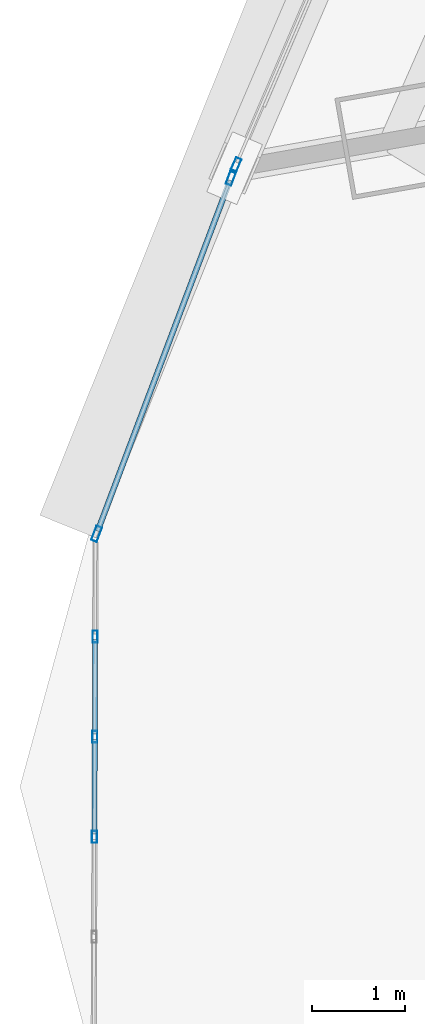
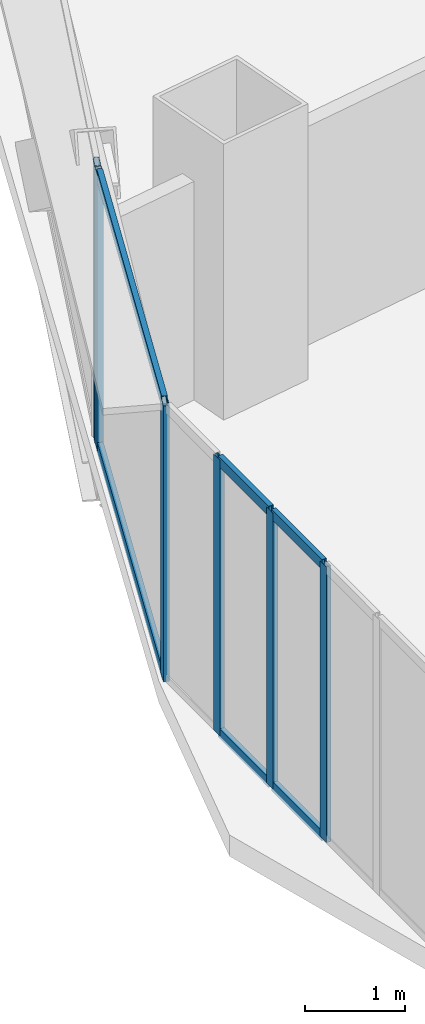
# One storey, part 4 of 42: 12 members, 3 elements without a shape of their own.
"""IFC4 building model written with IfcOpenShell, lengths in metres."""

from ifc_helpers import new_model, si_unit, direction, frame, origin, origin_2d, place, context, subcontext, project, spatial, hollow_rectangle, extrude, source, transform, mapped, material, layer, layer_set, material_profile, profile_set, type_object, element, aggregate, save


model = new_model("IFC4")

# Units and contexts
model_context = context("Model", 3, precision=1e-05, world=origin(), true_north=direction((0.0, 1.0)))
body_context = subcontext(model_context, "Body", "Model", "MODEL_VIEW")
ifc_project = project(units=[si_unit("LENGTHUNIT", "METRE"), si_unit("AREAUNIT", "SQUARE_METRE"), si_unit("VOLUMEUNIT", "CUBIC_METRE"), si_unit("PLANEANGLEUNIT", "RADIAN"), si_unit("MASSUNIT", "GRAM", prefix="KILO"), si_unit("THERMODYNAMICTEMPERATUREUNIT", "KELVIN"), si_unit("POWERUNIT", "WATT")], contexts=[model_context])

# Site, building, storey
site_placement = place(None, origin())
site = spatial("IfcSite", under=ifc_project, at=site_placement, CompositionType="ELEMENT")
building_placement = place(site_placement, origin())
building = spatial("IfcBuilding", under=site, at=building_placement, Name="Yunzhuo Pagoda Commons", CompositionType="ELEMENT")
storey_placement = place(building_placement, frame((0.0, 0.0, 44.919921875)))
storey = spatial("IfcBuildingStorey", under=building, at=storey_placement, Name="L11", CompositionType="ELEMENT", Elevation=44.919921875)

# Curtain wall, member
ifc_material = material(Name="Anodized aluminium 6063-T6", Category="aluminium")
ifc_layer_1 = layer(ifc_material, 0.1650390625)
ifc_layer_set_1 = layer_set([ifc_layer_1], Name="Anodized aluminium 6063-T6")
curtain_wall_type_1 = type_object("IfcCurtainWallType", Name="CW-LOW Low-Zone Ribbon Curtain Wall", PredefinedType="NOTDEFINED", material=ifc_layer_set_1)
curtain_wall_1_placement = place(storey_placement, origin())
curtain_wall_1 = element("IfcCurtainWall", 1, at=curtain_wall_1_placement, inside=storey, type_object=curtain_wall_type_1, Name="L11 curtain wall CW-L11-F3B4", PredefinedType="NOTDEFINED")
ifc_material_profile_1 = material_profile(ifc_material, hollow_rectangle(XDim=0.06494140625, YDim=0.1650390625, WallThickness=0.00390625, at=origin_2d()), Name="Anodized aluminium 6063-T6")
ifc_profile_set_1 = profile_set([ifc_material_profile_1], Name="Anodized aluminium 6063-T6")
member_type_1 = type_object("IfcMemberType", Name="CW-LOW-M Mullion RHS 165x65x4", PredefinedType="MULLION", material=ifc_profile_set_1)
shared_shape_1 = source(origin(), body_context, "Body", "SweptSolid", [
    extrude(hollow_rectangle(XDim=0.06494140625, YDim=0.1650390625, WallThickness=0.00390625, at=origin_2d()), origin(), (0.0, 0.0, 1.0), 3.3701171875),
])
member_1_placement = place(storey_placement, frame((6.25341796875, 26.366455078125, 0.0), z_axis=(0.0, 0.0, 1.0), x_axis=(0.918865619656, -0.394570618538, 0.0)))
member_1 = element("IfcMember", 2, at=member_1_placement, type_object=member_type_1, Name="CW mullion 2", PredefinedType="MULLION", context=body_context, shape_type="MappedRepresentation", body=[
    mapped(shared_shape_1, transform((0.0, 0.0, 0.0), scale=1.0)),
])
aggregate(curtain_wall_1, [member_1])

# Curtain wall, members
curtain_wall_2_placement = place(storey_placement, origin())
curtain_wall_2 = element("IfcCurtainWall", 3, at=curtain_wall_2_placement, inside=storey, type_object=curtain_wall_type_1, Name="L11 curtain wall CW-L11-F3B5", PredefinedType="NOTDEFINED")
member_2_placement = place(storey_placement, frame((6.20263671875, 26.236083984375, 0.0), z_axis=(0.0, 0.0, 1.0), x_axis=(0.935566420146, -0.353150780113, 0.0)))
member_2 = element("IfcMember", 4, at=member_2_placement, type_object=member_type_1, Name="CW mullion 1", PredefinedType="MULLION", context=body_context, shape_type="MappedRepresentation", body=[
    mapped(shared_shape_1, transform((0.0, 0.0, 0.0), scale=1.0)),
])
member_3_placement = place(storey_placement, frame((4.760009765625, 22.41455078125, 0.0), z_axis=(0.0, 0.0, 1.0), x_axis=(0.935566420146, -0.353150780113, 0.0)))
member_3 = element("IfcMember", 5, at=member_3_placement, type_object=member_type_1, Name="CW mullion 2", PredefinedType="MULLION", context=body_context, shape_type="MappedRepresentation", body=[
    mapped(shared_shape_1, transform((0.0, 0.0, 0.0), scale=1.0)),
])
ifc_material_profile_2 = material_profile(ifc_material, hollow_rectangle(XDim=0.06005859375, YDim=0.139892578125, WallThickness=0.00341796875, at=origin_2d()), Name="Anodized aluminium 6063-T6")
ifc_profile_set_2 = profile_set([ifc_material_profile_2], Name="Anodized aluminium 6063-T6")
member_type_2 = type_object("IfcMemberType", Name="CW-LOW-T Transom RHS 140x60x3.5", PredefinedType="USERDEFINED", material=ifc_profile_set_2)
shared_shape_2 = source(origin(), body_context, "Body", "SweptSolid", [
    extrude(hollow_rectangle(XDim=0.06005859375, YDim=0.139892578125, WallThickness=0.00341796875, at=origin_2d()), origin(), (0.0, 0.0, 1.0), 4.019775390625),
])
member_4_placement = place(storey_placement, frame((6.191162109375, 26.20556640625, 0.030029296875), z_axis=(-0.353172606042, -0.935558181163, 0.0), x_axis=(0.935558181163, -0.353172606042, 0.0)))
member_4 = element("IfcMember", 6, at=member_4_placement, type_object=member_type_2, Name="CW transom 1.1", ObjectType="TRANSOM", PredefinedType="USERDEFINED", context=body_context, shape_type="MappedRepresentation", body=[
    mapped(shared_shape_2, transform((0.0, 0.0, 0.0), scale=1.0)),
])
member_5_placement = place(storey_placement, frame((6.191162109375, 26.20556640625, 3.340087890625), z_axis=(-0.353172606042, -0.935558181163, 0.0), x_axis=(0.935558181163, -0.353172606042, 0.0)))
member_5 = element("IfcMember", 7, at=member_5_placement, type_object=member_type_2, Name="CW transom 1.2", ObjectType="TRANSOM", PredefinedType="USERDEFINED", context=body_context, shape_type="MappedRepresentation", body=[
    mapped(shared_shape_2, transform((0.0, 0.0, 0.0), scale=1.0)),
])
aggregate(curtain_wall_2, [member_2, member_3, member_4, member_5])

ifc_layer_2 = layer(ifc_material, 0.1298828125)
ifc_layer_set_2 = layer_set([ifc_layer_2], Name="Anodized aluminium 6063-T6")
curtain_wall_type_2 = type_object("IfcCurtainWallType", Name="CW-VTX Rounded Corner Curtain Wall", PredefinedType="NOTDEFINED", material=ifc_layer_set_2)
curtain_wall_3_placement = place(storey_placement, origin())
curtain_wall_3 = element("IfcCurtainWall", 8, at=curtain_wall_3_placement, inside=storey, type_object=curtain_wall_type_2, Name="L11 curtain wall CW-L11-VTX1S1", PredefinedType="NOTDEFINED")
ifc_material_profile_3 = material_profile(ifc_material, hollow_rectangle(XDim=0.054931640625, YDim=0.1201171875, WallThickness=0.00341796875, at=origin_2d()), Name="Anodized aluminium 6063-T6")
ifc_profile_set_3 = profile_set([ifc_material_profile_3], Name="Anodized aluminium 6063-T6")
member_type_3 = type_object("IfcMemberType", Name="CW-VTX-T Transom RHS 120x55x3.5", PredefinedType="USERDEFINED", material=ifc_profile_set_3)
shared_shape_3 = source(origin(), body_context, "Body", "SweptSolid", [
    extrude(hollow_rectangle(XDim=0.054931640625, YDim=0.1201171875, WallThickness=0.00341796875, at=origin_2d()), origin(), (0.0, 0.0, 1.0), 1.017822265625),
])
member_6_placement = place(storey_placement, frame((4.74462890625, 21.28369140625, 0.027587890625), z_axis=(-0.00359796184, -0.999993527314, 0.0), x_axis=(0.999993527314, -0.00359796184, 0.0)))
member_6 = element("IfcMember", 9, at=member_6_placement, type_object=member_type_3, Name="CW transom 2.1", ObjectType="TRANSOM", PredefinedType="USERDEFINED", context=body_context, shape_type="MappedRepresentation", body=[
    mapped(shared_shape_3, transform((0.0, 0.0, 0.0), scale=1.0)),
])
member_7_placement = place(storey_placement, frame((4.74462890625, 21.28369140625, 3.342529296875), z_axis=(-0.00359796184, -0.999993527314, 0.0), x_axis=(0.999993527314, -0.00359796184, 0.0)))
member_7 = element("IfcMember", 10, at=member_7_placement, type_object=member_type_3, Name="CW transom 2.2", ObjectType="TRANSOM", PredefinedType="USERDEFINED", context=body_context, shape_type="MappedRepresentation", body=[
    mapped(shared_shape_3, transform((0.0, 0.0, 0.0), scale=1.0)),
])
member_8_placement = place(storey_placement, frame((4.74072265625, 20.210693359375, 0.027587890625), z_axis=(-0.003358100519, -0.999994361565, 0.0), x_axis=(0.999994361565, -0.003358100519, 0.0)))
member_8 = element("IfcMember", 11, at=member_8_placement, type_object=member_type_3, Name="CW transom 3.1", ObjectType="TRANSOM", PredefinedType="USERDEFINED", context=body_context, shape_type="MappedRepresentation", body=[
    mapped(shared_shape_3, transform((0.0, 0.0, 0.0), scale=1.0)),
])
member_9_placement = place(storey_placement, frame((4.74072265625, 20.210693359375, 3.342529296875), z_axis=(-0.003358100519, -0.999994361565, 0.0), x_axis=(0.999994361565, -0.003358100519, 0.0)))
member_9 = element("IfcMember", 12, at=member_9_placement, type_object=member_type_3, Name="CW transom 3.2", ObjectType="TRANSOM", PredefinedType="USERDEFINED", context=body_context, shape_type="MappedRepresentation", body=[
    mapped(shared_shape_3, transform((0.0, 0.0, 0.0), scale=1.0)),
])
ifc_material_profile_4 = material_profile(ifc_material, hollow_rectangle(XDim=0.054931640625, YDim=0.1298828125, WallThickness=0.00341796875, at=origin_2d()), Name="Anodized aluminium 6063-T6")
ifc_profile_set_4 = profile_set([ifc_material_profile_4], Name="Anodized aluminium 6063-T6")
member_type_4 = type_object("IfcMemberType", Name="CW-VTX-M Mullion RHS 130x55x3.5", PredefinedType="MULLION", material=ifc_profile_set_4)
shared_shape_4 = source(origin(), body_context, "Body", "SweptSolid", [
    extrude(hollow_rectangle(XDim=0.054931640625, YDim=0.1298828125, WallThickness=0.00341796875, at=origin_2d()), origin(), (0.0, 0.0, 1.0), 3.3701171875),
])
member_10_placement = place(storey_placement, frame((4.74462890625, 21.311279296875, 0.0), z_axis=(0.0, 0.0, 1.0), x_axis=(0.999993595138, -0.003579061808, 0.0)))
member_10 = element("IfcMember", 13, at=member_10_placement, type_object=member_type_4, Name="CW mullion 2", PredefinedType="MULLION", context=body_context, shape_type="MappedRepresentation", body=[
    mapped(shared_shape_4, transform((0.0, 0.0, 0.0), scale=1.0)),
])
member_11_placement = place(storey_placement, frame((4.74072265625, 20.23828125, 0.0), z_axis=(0.0, 0.0, 1.0), x_axis=(0.999993595138, -0.003579061808, 0.0)))
member_11 = element("IfcMember", 14, at=member_11_placement, type_object=member_type_4, Name="CW mullion 3", PredefinedType="MULLION", context=body_context, shape_type="MappedRepresentation", body=[
    mapped(shared_shape_4, transform((0.0, 0.0, 0.0), scale=1.0)),
])
member_12_placement = place(storey_placement, frame((4.7373046875, 19.165283203125, 0.0), z_axis=(0.0, 0.0, 1.0), x_axis=(0.999993595138, -0.003579061808, 0.0)))
member_12 = element("IfcMember", 15, at=member_12_placement, type_object=member_type_4, Name="CW mullion 4", PredefinedType="MULLION", context=body_context, shape_type="MappedRepresentation", body=[
    mapped(shared_shape_4, transform((0.0, 0.0, 0.0), scale=1.0)),
])
aggregate(curtain_wall_3, [member_10, member_11, member_12, member_6, member_7, member_8, member_9])

save(model, "model.ifc")
